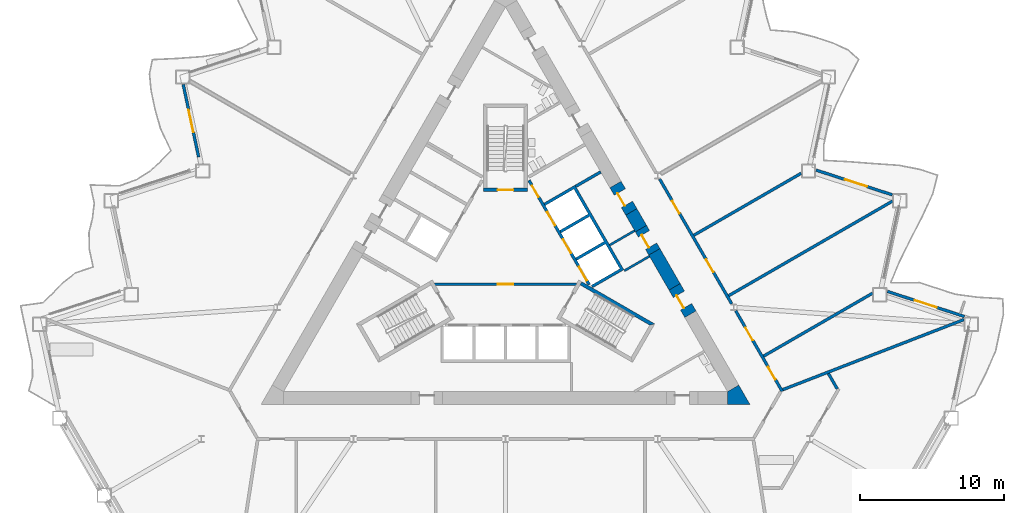
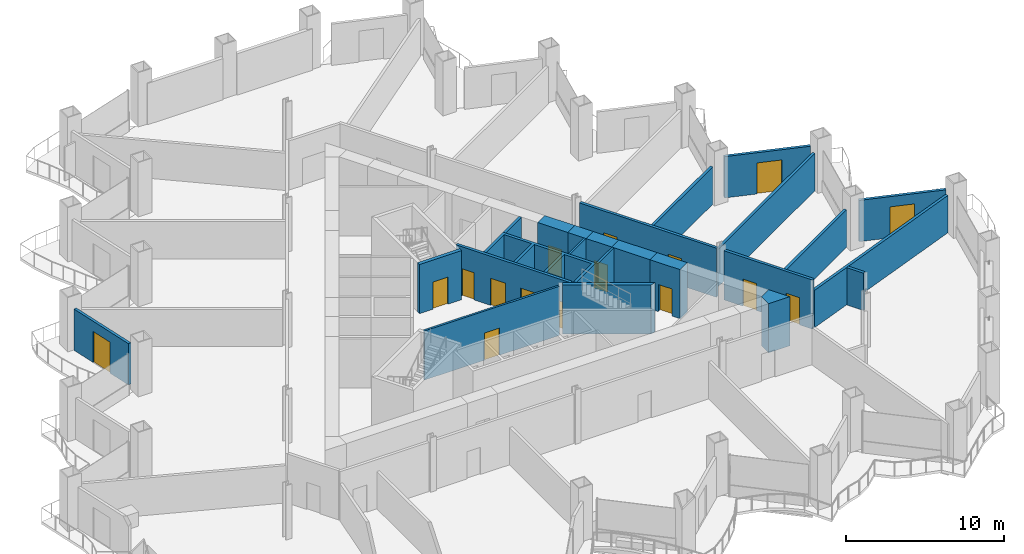
# One storey, part 11 of 21: 24 walls, 16 doors, 16 openings.
"""IFC4 building model written with IfcOpenShell, lengths in metres."""

import ifcopenshell
import ifcopenshell.guid

model = None  # the IFC model being written
_history = None  # IfcOwnerHistory: only IFC2X3 demands one
_inside = {}  # id of a spatial element -> (the spatial element, [elements in it])
_under = {}  # id of a project, library or spatial element -> (it, [spatial elements below it])
_declared = {}  # id of a project -> (the project, [libraries it declares])
_typed = {}  # id of a type object -> (the type object, [elements of that type])
_made_of = {}  # id of a material, layer set ... -> (it, [elements and type objects made of it])


def new_model(schema):
    """Start an empty IFC model of exactly this schema.

    Asked for "IFC4X3", IfcOpenShell would pick the latest addendum, in which some entities
    have other attributes; the version numbers below select the first issue.
    IFC2X3 requires an IfcOwnerHistory on every rooted entity: one is made here for all.
    """
    global model, _history
    if schema == "IFC4X3":
        model = ifcopenshell.file(schema_version=(4, 3, 0, 0))
    else:
        model = ifcopenshell.file(schema=schema)
    _inside.clear()
    _under.clear()
    _declared.clear()
    _typed.clear()
    _made_of.clear()
    _history = None
    if model.schema == "IFC2X3":
        org = make("IfcOrganization", Name="unknown")
        user = make(
            "IfcPersonAndOrganization",
            ThePerson=make("IfcPerson", FamilyName="unknown"),
            TheOrganization=org,
        )
        app = make(
            "IfcApplication",
            ApplicationDeveloper=org,
            Version="unknown",
            ApplicationFullName="unknown",
            ApplicationIdentifier="unknown",
        )
        _history = make(
            "IfcOwnerHistory",
            OwningUser=user,
            OwningApplication=app,
            ChangeAction="ADDED",
            CreationDate=0,
        )
    return model


def make(cls, **values):
    """One entity of the class cls with the attributes given. An attribute that is None is left unset."""
    return model.create_entity(
        cls, **{name: value for name, value in values.items() if value is not None}
    )


def rooted(cls, **values):
    """An entity with a GlobalId (a new one), such as an element, a storey or a relation."""
    return make(cls, GlobalId=ifcopenshell.guid.new(), OwnerHistory=_history, **values)


def si_unit(unit_type, name, prefix=None):
    """IfcSIUnit, for example si_unit("LENGTHUNIT", "METRE", prefix="MILLI")."""
    return make("IfcSIUnit", UnitType=unit_type, Prefix=prefix, Name=name)


def assignment(units):
    """IfcUnitAssignment: the units of a project."""
    return None if units is None else make("IfcUnitAssignment", Units=units)


def point(xyz):
    """IfcCartesianPoint."""
    return None if xyz is None else make("IfcCartesianPoint", Coordinates=xyz)


def direction(xyz):
    """IfcDirection."""
    return None if xyz is None else make("IfcDirection", DirectionRatios=xyz)


def frame(location, z_axis=None, x_axis=None):
    """IfcAxis2Placement3D, a coordinate frame: its origin and axes. An axis left out is left unset."""
    return make(
        "IfcAxis2Placement3D",
        Location=point(location),
        Axis=direction(z_axis),
        RefDirection=direction(x_axis),
    )


def frame_2d(location, x_axis=None):
    """IfcAxis2Placement2D, a coordinate frame in the plane: its origin and x axis."""
    return make(
        "IfcAxis2Placement2D", Location=point(location), RefDirection=direction(x_axis)
    )


def origin():
    """The frame at (0, 0, 0) with its axes left unset."""
    return frame((0.0, 0.0, 0.0))


def place(relative_to, where):
    """IfcLocalPlacement: puts the frame where relative to a parent placement (None: the world)."""
    return make(
        "IfcLocalPlacement", PlacementRelTo=relative_to, RelativePlacement=where
    )


def context(
    kind, dimensions, precision=None, world=None, true_north=None, identifier=None
):
    """IfcGeometricRepresentationContext, for example the 3D "Model" context."""
    return make(
        "IfcGeometricRepresentationContext",
        ContextIdentifier=identifier,
        ContextType=kind,
        CoordinateSpaceDimension=dimensions,
        Precision=precision,
        WorldCoordinateSystem=world,
        TrueNorth=true_north,
    )


def subcontext(parent, identifier, kind, view, scale=None):
    """IfcGeometricRepresentationSubContext, for example "Body" below "Model"."""
    return make(
        "IfcGeometricRepresentationSubContext",
        ContextIdentifier=identifier,
        ContextType=kind,
        ParentContext=parent,
        TargetScale=scale,
        TargetView=view,
    )


def project(units=None, contexts=None):
    """IfcProject with its units and contexts."""
    return rooted(
        "IfcProject",
        Name="project",
        RepresentationContexts=contexts,
        UnitsInContext=assignment(units),
    )


def spatial(cls, under=None, at=None, **own):
    """A site, building, storey or space (cls), placed at a placement, below another one or the project."""
    s = rooted(cls, ObjectPlacement=at, **own)
    if under is not None:
        _under.setdefault(under.id(), (under, []))[1].append(s)
    return s


def polyline(points):
    """IfcPolyline through the points."""
    return make("IfcPolyline", Points=[point(p) for p in points])


def profile(cls, at=None, kind="AREA", **sizes):
    """A parametric profile (cls). Its sizes go by their IFC names, for example OverallWidth=200.0."""
    return make(cls, ProfileType=kind, Position=at, **sizes)


def rectangle(**sizes):
    """IfcRectangleProfileDef."""
    return profile("IfcRectangleProfileDef", **sizes)


def outline(outer, holes=None, kind="AREA"):
    """IfcArbitraryClosedProfileDef: a profile drawn as a closed curve; with holes, ...WithVoids."""
    if holes is None:
        return make("IfcArbitraryClosedProfileDef", ProfileType=kind, OuterCurve=outer)
    return make(
        "IfcArbitraryProfileDefWithVoids",
        ProfileType=kind,
        OuterCurve=outer,
        InnerCurves=holes,
    )


def extrude(swept, where, along, depth):
    """IfcExtrudedAreaSolid: the profile swept, set in the frame where, extruded along a direction by depth."""
    return make(
        "IfcExtrudedAreaSolid",
        SweptArea=swept,
        Position=where,
        ExtrudedDirection=direction(along),
        Depth=depth,
    )


def shape(context_of_items, identifier, shape_type, items):
    """IfcShapeRepresentation: the items that make up one representation, for example the "Body"."""
    return make(
        "IfcShapeRepresentation",
        ContextOfItems=context_of_items,
        RepresentationIdentifier=identifier,
        RepresentationType=shape_type,
        Items=items,
    )


def material(Name=None, Category=None):
    """IfcMaterial."""
    return make("IfcMaterial", Name=Name, Category=Category)


def layer(
    of_material, thickness, ventilated=None, Name=None, Category=None, Priority=None
):
    """IfcMaterialLayer: one layer of a wall or slab, of a material (None: an air gap)."""
    return make(
        "IfcMaterialLayer",
        Material=of_material,
        LayerThickness=thickness,
        IsVentilated=ventilated,
        Name=Name,
        Category=Category,
        Priority=Priority,
    )


def layer_set(layers, Name=None):
    """IfcMaterialLayerSet."""
    return make("IfcMaterialLayerSet", MaterialLayers=layers, LayerSetName=Name)


def made_of(thing, what):
    """Note that an element or type object is made of a material, layer set ...; save() writes the relation."""
    if what is not None:
        _made_of.setdefault(what.id(), (what, []))[1].append(thing)
    return thing


def type_object(cls, material=None, **own):
    """A type object (cls), such as IfcWallType, which elements share."""
    return made_of(rooted(cls, **own), material)


def element(
    cls,
    number,
    at=None,
    inside=None,
    cuts=None,
    type_object=None,
    material=None,
    context=None,
    identifier="Body",
    shape_type=None,
    held_by="IfcProductDefinitionShape",
    body=None,
    shapes=None,
    **own,
):
    """One element of the class cls, such as IfcWall. Its Tag is "e" and its number.

    at: its placement. inside: the storey or other place that contains it. cuts: it is an
    opening in that element (IfcRelVoidsElement). A single representation is given by context,
    identifier, shape_type and body (its items); several are given by shapes. held_by: the class
    of the entity that holds the representations. save() writes the other relations.
    """
    e = rooted(cls, Tag="e%d" % number, ObjectPlacement=at, **own)
    if body is not None:
        shapes = [shape(context, identifier, shape_type, body)]
    if shapes is not None:
        e.Representation = make(held_by, Representations=shapes)
    if inside is not None:
        _inside.setdefault(inside.id(), (inside, []))[1].append(e)
    if cuts is not None:
        rooted(
            "IfcRelVoidsElement", RelatingBuildingElement=cuts, RelatedOpeningElement=e
        )
    if type_object is not None:
        _typed.setdefault(type_object.id(), (type_object, []))[1].append(e)
    return made_of(e, material)


def fill(opening, filler):
    """IfcRelFillsElement: the door or window that sits in an opening."""
    return rooted(
        "IfcRelFillsElement",
        RelatingOpeningElement=opening,
        RelatedBuildingElement=filler,
    )


def aggregate(whole, parts):
    """IfcRelAggregates: a whole, such as a stair, and the parts it consists of."""
    return rooted("IfcRelAggregates", RelatingObject=whole, RelatedObjects=parts)


def save(model, path):
    """Write the relations noted so far, then the file.

    IfcRelAggregates (storeys below a building ...), IfcRelContainedInSpatialStructure (elements
    in a storey), IfcRelDefinesByType, IfcRelAssociatesMaterial and IfcRelDeclares: one each for
    every whole, place, type object, material and project.
    """
    for whole, parts in _under.values():
        aggregate(whole, parts)
    for where, things in _inside.values():
        rooted(
            "IfcRelContainedInSpatialStructure",
            RelatedElements=things,
            RelatingStructure=where,
        )
    for kind, things in _typed.values():
        rooted("IfcRelDefinesByType", RelatedObjects=things, RelatingType=kind)
    for what, things in _made_of.values():
        rooted("IfcRelAssociatesMaterial", RelatedObjects=things, RelatingMaterial=what)
    for by, libraries in _declared.values():
        rooted("IfcRelDeclares", RelatingContext=by, RelatedDefinitions=libraries)
    model.write(path)


model = new_model("IFC4")

# Units and contexts
model_context = context("Model", 3, precision=1e-05, world=origin(), true_north=direction((0.0, 1.0)))
body_context = subcontext(model_context, "Body", "Model", "MODEL_VIEW")
ifc_project = project(units=[si_unit("LENGTHUNIT", "METRE"), si_unit("AREAUNIT", "SQUARE_METRE"), si_unit("VOLUMEUNIT", "CUBIC_METRE"), si_unit("PLANEANGLEUNIT", "RADIAN"), si_unit("MASSUNIT", "GRAM", prefix="KILO")], contexts=[model_context])

# Site, building, storey
site_placement = place(None, origin())
site = spatial("IfcSite", under=ifc_project, at=site_placement, CompositionType="ELEMENT")
building_placement = place(site_placement, origin())
building = spatial("IfcBuilding", under=site, at=building_placement, Name="Cormorant Prow Tower", CompositionType="ELEMENT")
storey_placement = place(building_placement, frame((0.0, 0.0, 51.0)))
storey = spatial("IfcBuildingStorey", under=building, at=storey_placement, Name="L10", CompositionType="ELEMENT", Elevation=51.0)

# Wall, opening, door
ifc_material_1 = material(Name="Gypsum board partition")
ifc_layer_1 = layer(ifc_material_1, 0.14990234375)
ifc_layer_set_1 = layer_set([ifc_layer_1], Name="Gypsum board partition")
wall_type_1 = type_object("IfcWallType", Name="Core partition 150", PredefinedType="PARTITIONING", material=ifc_layer_set_1)
wall_1_placement = place(storey_placement, frame((-4.941162109375, -1.449951171875, 0.0), z_axis=(0.0, 0.0, 1.0), x_axis=(1.0, 0.0, 0.0)))
wall_1 = element("IfcWall", 1, at=wall_1_placement, inside=storey, type_object=wall_type_1, Name="Firefighting lobby partition", PredefinedType="PARTITIONING", context=body_context, shape_type="SweptSolid", body=[
    extrude(rectangle(XDim=9.88232421875, YDim=0.14990234375, at=frame_2d((4.941162109375, 0.0))), origin(), (0.0, 0.0, 1.0), 3.800048828125),
])
opening_1_placement = place(wall_1_placement, frame((4.39111328125, 0.0, 0.0)))
opening_1 = element("IfcOpeningElement", 2, at=opening_1_placement, cuts=wall_1, Name="Opening L10-C11", PredefinedType="OPENING", context=body_context, shape_type="SweptSolid", body=[
    extrude(rectangle(XDim=1.10009765625, YDim=2.10009765625, at=frame_2d((0.550048828125, 1.050048828125))), frame((0.0, 0.0849609375, 0.0), z_axis=(0.0, -1.0, 0.0), x_axis=(1.0, 0.0, 0.0)), (0.0, 0.0, 1.0), 0.169921875),
])
ifc_material_2 = material(Name="Painted steel", Category="steel")
door_type_1 = type_object("IfcDoorType", Name="Firefighting lobby door 1100x2100", OperationType="NOTDEFINED", PredefinedType="DOOR", material=ifc_material_2)
door_1_placement = place(opening_1_placement, origin())
door_1 = element("IfcDoor", 3, at=door_1_placement, inside=storey, type_object=door_type_1, Name="Firefighting lobby door", OperationType="SINGLE_SWING_LEFT", OverallHeight=2.10009765625, OverallWidth=1.10009765625, PredefinedType="DOOR", context=body_context, shape_type="SweptSolid", body=[
    extrude(rectangle(XDim=1.10009765625, YDim=2.10009765625, at=frame_2d((0.550048828125, 1.050048828125))), frame((0.0, 0.02490234375, 0.0), z_axis=(0.0, -1.0, 0.0), x_axis=(1.0, 0.0, 0.0)), (0.0, 0.0, 1.0), 0.050048828125),
])
fill(opening_1, door_1)

# Walls
wall_2_placement = place(storey_placement, frame((8.268310546875, -0.509033203125, 0.0), z_axis=(0.0, 0.0, 1.0), x_axis=(0.866035824272, 0.499981950752, 0.0)))
element("IfcWall", 4, at=wall_2_placement, inside=storey, type_object=wall_type_1, Name="Service room partition", PredefinedType="PARTITIONING", context=body_context, shape_type="SweptSolid", body=[
    extrude(rectangle(XDim=2.0087890625, YDim=0.14990234375, at=frame_2d((1.00439453125, 0.0))), origin(), (0.0, 0.0, 1.0), 3.800048828125),
])
wall_3_placement = place(storey_placement, frame((8.980712890625, 2.275146484375, 0.0), z_axis=(0.0, 0.0, 1.0), x_axis=(-0.866013584312, -0.500020471368, 0.0)))
element("IfcWall", 5, at=wall_3_placement, inside=storey, type_object=wall_type_1, Name="Service room partition", PredefinedType="PARTITIONING", context=body_context, shape_type="SweptSolid", body=[
    extrude(rectangle(XDim=2.00927734375, YDim=0.14990234375, at=frame_2d((1.004638671875, 0.0))), origin(), (0.0, 0.0, 1.0), 3.800048828125),
])
ifc_material_3 = material(Name="Concrete 8000 psi", Category="concrete")
ifc_layer_2 = layer(ifc_material_3, 0.89990234375)
ifc_layer_set_2 = layer_set([ifc_layer_2], Name="Concrete 8000 psi")
wall_type_2 = type_object("IfcWallType", Name="Core shear wall 900", PredefinedType="SHEAR", material=ifc_layer_set_2)
wall_4_placement = place(storey_placement, frame((11.7548828125, -1.63037109375, 0.0), z_axis=(0.0, 0.0, 1.0), x_axis=(-0.499943114462, 0.866058244174, 0.0)))
element("IfcWall", 6, at=wall_4_placement, inside=storey, type_object=wall_type_2, Name="Core wall", PredefinedType="SHEAR", context=body_context, shape_type="SweptSolid", body=[
    extrude(rectangle(XDim=2.809326171875, YDim=0.89990234375, at=frame_2d((1.40478515625, 0.0))), origin(), (0.0, 0.0, 1.0), 3.800048828125),
])
wall_5_placement = place(storey_placement, frame((9.417724609375, 2.417724609375, 0.0), z_axis=(0.0, 0.0, 1.0), x_axis=(-0.49995335277, 0.8660523339, 0.0)))
element("IfcWall", 7, at=wall_5_placement, inside=storey, type_object=wall_type_2, Name="Core wall", PredefinedType="SHEAR", context=body_context, shape_type="SweptSolid", body=[
    extrude(rectangle(XDim=1.342529296875, YDim=0.89990234375, at=frame_2d((0.67138671875, 0.0))), origin(), (0.0, 0.0, 1.0), 3.800048828125),
])
wall_6_placement = place(storey_placement, origin())
element("IfcWall", 8, at=wall_6_placement, inside=storey, type_object=wall_type_2, Name="Core wall corner", PredefinedType="SHEAR", context=body_context, shape_type="SweptSolid", body=[
    extrude(outline(polyline([(15.441162109375, -9.81494140625), (15.441162109375, -8.9150390625), (16.220703125, -8.465087890625), (17.0, -9.81494140625), (15.441162109375, -9.81494140625)])), origin(), (0.0, 0.0, 1.0), 3.800048828125),
])

# Wall, opening, door
wall_7_placement = place(storey_placement, frame((12.85498046875, -3.53564453125, 0.0), z_axis=(0.0, 0.0, 1.0), x_axis=(-0.50002983664, 0.866008176907, 0.0)))
wall_7 = element("IfcWall", 9, at=wall_7_placement, inside=storey, type_object=wall_type_2, Name="Core wall door panel", PredefinedType="SHEAR", context=body_context, shape_type="SweptSolid", body=[
    extrude(rectangle(XDim=2.199951171875, YDim=0.89990234375, at=frame_2d((1.10009765625, 0.0))), origin(), (0.0, 0.0, 1.0), 3.800048828125),
])
opening_2_placement = place(wall_7_placement, frame((0.60009765625, 0.0, 0.0)))
opening_2 = element("IfcOpeningElement", 10, at=opening_2_placement, cuts=wall_7, Name="Opening L10-C17", PredefinedType="OPENING", context=body_context, shape_type="SweptSolid", body=[
    extrude(rectangle(XDim=1.0, YDim=2.10009765625, at=frame_2d((0.5, 1.050048828125))), frame((0.0, 0.4599609375, 0.0), z_axis=(0.0, -1.0, 0.0), x_axis=(1.0, 0.0, 0.0)), (0.0, 0.0, 1.0), 0.919921875),
])
ifc_material_4 = material(Name="Painted steel", Category="steel")
door_type_2 = type_object("IfcDoorType", Name="Service door 1000x2100", OperationType="NOTDEFINED", PredefinedType="DOOR", material=ifc_material_4)
door_2_placement = place(opening_2_placement, origin())
door_2 = element("IfcDoor", 11, at=door_2_placement, inside=storey, type_object=door_type_2, Name="Core door, Electrical room", OperationType="SINGLE_SWING_RIGHT", OverallHeight=2.10009765625, OverallWidth=1.0, PredefinedType="DOOR", context=body_context, shape_type="SweptSolid", body=[
    extrude(rectangle(XDim=1.0, YDim=2.10009765625, at=frame_2d((0.5, 1.050048828125))), frame((0.0, 0.205078125, 0.0), z_axis=(0.0, -1.0, 0.0), x_axis=(1.0, 0.0, 0.0)), (0.0, 0.0, 1.0), 0.050048828125),
])
fill(opening_2, door_2)

wall_8_placement = place(storey_placement, frame((10.350341796875, 0.802734375, 0.0), z_axis=(0.0, 0.0, 1.0), x_axis=(-0.500081290722, 0.865978465477, 0.0)))
wall_8 = element("IfcWall", 12, at=wall_8_placement, inside=storey, type_object=wall_type_2, Name="Core wall door panel", PredefinedType="SHEAR", context=body_context, shape_type="SweptSolid", body=[
    extrude(rectangle(XDim=1.864990234375, YDim=0.89990234375, at=frame_2d((0.9326171875, 0.0))), origin(), (0.0, 0.0, 1.0), 3.800048828125),
])
opening_3_placement = place(wall_8_placement, frame((0.449951171875, 0.0, 0.0)))
opening_3 = element("IfcOpeningElement", 13, at=opening_3_placement, cuts=wall_8, Name="Opening L10-C18", PredefinedType="OPENING", context=body_context, shape_type="SweptSolid", body=[
    extrude(rectangle(XDim=1.0, YDim=2.10009765625, at=frame_2d((0.5, 1.050048828125))), frame((0.0, 0.4599609375, 0.0), z_axis=(0.0, -1.0, 0.0), x_axis=(1.0, 0.0, 0.0)), (0.0, 0.0, 1.0), 0.919921875),
])
door_3_placement = place(opening_3_placement, origin())
door_3 = element("IfcDoor", 14, at=door_3_placement, inside=storey, type_object=door_type_2, Name="Core door, Mechanical riser room", OperationType="SINGLE_SWING_LEFT", OverallHeight=2.10009765625, OverallWidth=1.0, PredefinedType="DOOR", context=body_context, shape_type="SweptSolid", body=[
    extrude(rectangle(XDim=1.0, YDim=2.10009765625, at=frame_2d((0.5, 1.050048828125))), frame((0.0, 0.205078125, 0.0), z_axis=(0.0, -1.0, 0.0), x_axis=(1.0, 0.0, 0.0)), (0.0, 0.0, 1.0), 0.050048828125),
])
fill(opening_3, door_3)

wall_9_placement = place(storey_placement, frame((8.74658203125, 3.580322265625, 0.0), z_axis=(0.0, 0.0, 1.0), x_axis=(-0.50002983664, 0.866008176907, 0.0)))
wall_9 = element("IfcWall", 15, at=wall_9_placement, inside=storey, type_object=wall_type_2, Name="Core wall door panel", PredefinedType="SHEAR", context=body_context, shape_type="SweptSolid", body=[
    extrude(rectangle(XDim=2.199951171875, YDim=0.89990234375, at=frame_2d((1.10009765625, 0.0))), origin(), (0.0, 0.0, 1.0), 3.800048828125),
])
opening_4_placement = place(wall_9_placement, frame((0.60009765625, 0.0, 0.0)))
opening_4 = element("IfcOpeningElement", 16, at=opening_4_placement, cuts=wall_9, Name="Opening L10-C20", PredefinedType="OPENING", context=body_context, shape_type="SweptSolid", body=[
    extrude(rectangle(XDim=1.0, YDim=2.10009765625, at=frame_2d((0.5, 1.050048828125))), frame((0.0, 0.4599609375, 0.0), z_axis=(0.0, -1.0, 0.0), x_axis=(1.0, 0.0, 0.0)), (0.0, 0.0, 1.0), 0.919921875),
])
door_4_placement = place(opening_4_placement, origin())
door_4 = element("IfcDoor", 17, at=door_4_placement, inside=storey, type_object=door_type_2, Name="Core door, Pantry store", OperationType="SINGLE_SWING_RIGHT", OverallHeight=2.10009765625, OverallWidth=1.0, PredefinedType="DOOR", context=body_context, shape_type="SweptSolid", body=[
    extrude(rectangle(XDim=1.0, YDim=2.10009765625, at=frame_2d((0.5, 1.050048828125))), frame((0.0, 0.205078125, 0.0), z_axis=(0.0, -1.0, 0.0), x_axis=(1.0, 0.0, 0.0)), (0.0, 0.0, 1.0), 0.050048828125),
])
fill(opening_4, door_4)

# Wall, openings, doors
ifc_material_5 = material(Name="Gypsum board corridor wall")
ifc_layer_3 = layer(ifc_material_5, 0.199951171875)
ifc_layer_set_3 = layer_set([ifc_layer_3], Name="Gypsum board corridor wall")
wall_type_3 = type_object("IfcWallType", Name="Corridor wall 200", PredefinedType="PARTITIONING", material=ifc_layer_set_3)
wall_10_placement = place(storey_placement, frame((10.718505859375, 5.865234375, 0.0), z_axis=(0.0, 0.0, 1.0), x_axis=(0.49999175339, -0.866030164915, 0.0)))
wall_10 = element("IfcWall", 18, at=wall_10_placement, inside=storey, type_object=wall_type_3, Name="Corridor wall", PredefinedType="PARTITIONING", context=body_context, shape_type="SweptSolid", body=[
    extrude(rectangle(XDim=10.018798828125, YDim=0.199951171875, at=frame_2d((5.00927734375, 0.0))), origin(), (0.0, 0.0, 1.0), 3.800048828125),
])
opening_5_placement = place(wall_10_placement, frame((6.4638671875, 0.0, 0.0)))
opening_5 = element("IfcOpeningElement", 19, at=opening_5_placement, cuts=wall_10, Name="Opening L10-F09", PredefinedType="OPENING", context=body_context, shape_type="SweptSolid", body=[
    extrude(rectangle(XDim=1.0, YDim=2.10009765625, at=frame_2d((0.5, 1.050048828125))), frame((0.0, 0.10986328125, 0.0), z_axis=(0.0, -1.0, 0.0), x_axis=(1.0, 0.0, 0.0)), (0.0, 0.0, 1.0), 0.219970703125),
])
opening_6_placement = place(wall_10_placement, frame((1.75341796875, 0.0, 0.0)))
opening_6 = element("IfcOpeningElement", 20, at=opening_6_placement, cuts=wall_10, Name="Opening L10-F10", PredefinedType="OPENING", context=body_context, shape_type="SweptSolid", body=[
    extrude(rectangle(XDim=1.0, YDim=2.10009765625, at=frame_2d((0.5, 1.050048828125))), frame((0.0, 0.10986328125, 0.0), z_axis=(0.0, -1.0, 0.0), x_axis=(1.0, 0.0, 0.0)), (0.0, 0.0, 1.0), 0.219970703125),
])
ifc_material_6 = material(Name="Timber door leaf", Category="wood")
door_type_3 = type_object("IfcDoorType", Name="Office door 1000x2100", OperationType="NOTDEFINED", PredefinedType="DOOR", material=ifc_material_6)
door_5_placement = place(opening_5_placement, origin())
door_5 = element("IfcDoor", 21, at=door_5_placement, inside=storey, type_object=door_type_3, Name="Meeting room door", OperationType="SINGLE_SWING_LEFT", OverallHeight=2.10009765625, OverallWidth=1.0, PredefinedType="DOOR", context=body_context, shape_type="SweptSolid", body=[
    extrude(rectangle(XDim=1.0, YDim=2.10009765625, at=frame_2d((0.5, 1.050048828125))), frame((0.0, 0.02490234375, 0.0), z_axis=(0.0, -1.0, 0.0), x_axis=(1.0, 0.0, 0.0)), (0.0, 0.0, 1.0), 0.050048828125),
])
fill(opening_5, door_5)
door_6_placement = place(opening_6_placement, origin())
door_6 = element("IfcDoor", 22, at=door_6_placement, inside=storey, type_object=door_type_3, Name="Meeting room door", OperationType="SINGLE_SWING_RIGHT", OverallHeight=2.10009765625, OverallWidth=1.0, PredefinedType="DOOR", context=body_context, shape_type="SweptSolid", body=[
    extrude(rectangle(XDim=1.0, YDim=2.10009765625, at=frame_2d((0.5, 1.050048828125))), frame((0.0, 0.02490234375, 0.0), z_axis=(0.0, -1.0, 0.0), x_axis=(1.0, 0.0, 0.0)), (0.0, 0.0, 1.0), 0.050048828125),
])
fill(opening_6, door_6)

wall_11_placement = place(storey_placement, frame((16.007568359375, -3.2958984375, 0.0), z_axis=(0.0, 0.0, 1.0), x_axis=(0.499984737558, -0.86603421538, 0.0)))
wall_11 = element("IfcWall", 23, at=wall_11_placement, inside=storey, type_object=wall_type_3, Name="Corridor wall", PredefinedType="PARTITIONING", context=body_context, shape_type="SweptSolid", body=[
    extrude(rectangle(XDim=6.472900390625, YDim=0.199951171875, at=frame_2d((3.236328125, 0.0))), origin(), (0.0, 0.0, 1.0), 3.800048828125),
])
opening_7_placement = place(wall_11_placement, frame((4.51220703125, 0.0, 0.0)))
opening_7 = element("IfcOpeningElement", 24, at=opening_7_placement, cuts=wall_11, Name="Opening L10-F07", PredefinedType="OPENING", context=body_context, shape_type="SweptSolid", body=[
    extrude(rectangle(XDim=1.0, YDim=2.10009765625, at=frame_2d((0.5, 1.050048828125))), frame((0.0, 0.10986328125, 0.0), z_axis=(0.0, -1.0, 0.0), x_axis=(1.0, 0.0, 0.0)), (0.0, 0.0, 1.0), 0.219970703125),
])
opening_8_placement = place(wall_11_placement, frame((1.3662109375, 0.0, 0.0)))
opening_8 = element("IfcOpeningElement", 25, at=opening_8_placement, cuts=wall_11, Name="Opening L10-F08", PredefinedType="OPENING", context=body_context, shape_type="SweptSolid", body=[
    extrude(rectangle(XDim=1.0, YDim=2.10009765625, at=frame_2d((0.5, 1.050048828125))), frame((0.0, 0.10986328125, 0.0), z_axis=(0.0, -1.0, 0.0), x_axis=(1.0, 0.0, 0.0)), (0.0, 0.0, 1.0), 0.219970703125),
])
door_7_placement = place(opening_7_placement, origin())
door_7 = element("IfcDoor", 26, at=door_7_placement, inside=storey, type_object=door_type_3, Name="Meeting room door", OperationType="SINGLE_SWING_LEFT", OverallHeight=2.10009765625, OverallWidth=1.0, PredefinedType="DOOR", context=body_context, shape_type="SweptSolid", body=[
    extrude(rectangle(XDim=1.0, YDim=2.10009765625, at=frame_2d((0.5, 1.050048828125))), frame((0.0, 0.02490234375, 0.0), z_axis=(0.0, -1.0, 0.0), x_axis=(1.0, 0.0, 0.0)), (0.0, 0.0, 1.0), 0.050048828125),
])
fill(opening_7, door_7)
door_8_placement = place(opening_8_placement, origin())
door_8 = element("IfcDoor", 27, at=door_8_placement, inside=storey, type_object=door_type_3, Name="Meeting room door", OperationType="SINGLE_SWING_LEFT", OverallHeight=2.10009765625, OverallWidth=1.0, PredefinedType="DOOR", context=body_context, shape_type="SweptSolid", body=[
    extrude(rectangle(XDim=1.0, YDim=2.10009765625, at=frame_2d((0.5, 1.050048828125))), frame((0.0, 0.02490234375, 0.0), z_axis=(0.0, -1.0, 0.0), x_axis=(1.0, 0.0, 0.0)), (0.0, 0.0, 1.0), 0.050048828125),
])
fill(opening_8, door_8)

# Walls
ifc_material_7 = material(Name="Gypsum board demising wall")
ifc_layer_4 = layer(ifc_material_7, 0.199951171875)
ifc_layer_set_4 = layer_set([ifc_layer_4], Name="Gypsum board demising wall")
wall_type_4 = type_object("IfcWallType", Name="Demising wall 200", PredefinedType="PARTITIONING", material=ifc_layer_set_4)
wall_12_placement = place(storey_placement, frame((19.287109375, -8.77880859375, 0.0), z_axis=(0.0, 0.0, 1.0), x_axis=(0.932669586354, 0.360731815467, 0.0)))
element("IfcWall", 28, at=wall_12_placement, inside=storey, type_object=wall_type_4, Name="Demising wall", PredefinedType="PARTITIONING", context=body_context, shape_type="SweptSolid", body=[
    extrude(rectangle(XDim=13.501220703125, YDim=0.199951171875, at=frame_2d((6.75048828125, 0.0))), origin(), (0.0, 0.0, 1.0), 2.88525390625),
])
wall_13_placement = place(storey_placement, frame((15.517578125, -2.24755859375, 0.0), z_axis=(0.0, 0.0, 1.0), x_axis=(0.866025231175, 0.500000298968, 0.0)))
element("IfcWall", 29, at=wall_13_placement, inside=storey, type_object=wall_type_4, Name="Demising wall", PredefinedType="PARTITIONING", context=body_context, shape_type="SweptSolid", body=[
    extrude(rectangle(XDim=13.15869140625, YDim=0.199951171875, at=frame_2d((6.579345703125, 0.0))), origin(), (0.0, 0.0, 1.0), 2.88525390625),
])
wall_14_placement = place(storey_placement, frame((17.944091796875, -6.4501953125, 0.0), z_axis=(0.0, 0.0, 1.0), x_axis=(0.866025328989, 0.50000012955, 0.0)))
element("IfcWall", 30, at=wall_14_placement, inside=storey, type_object=wall_type_4, Name="Demising wall", PredefinedType="PARTITIONING", context=body_context, shape_type="SweptSolid", body=[
    extrude(rectangle(XDim=8.75244140625, YDim=0.199951171875, at=frame_2d((4.376220703125, 0.0))), origin(), (0.0, 0.0, 1.0), 2.88525390625),
])
wall_15_placement = place(storey_placement, frame((13.09130859375, 1.954833984375, 0.0), z_axis=(0.0, 0.0, 1.0), x_axis=(0.866026670206, 0.499997806488, 0.0)))
element("IfcWall", 31, at=wall_15_placement, inside=storey, type_object=wall_type_4, Name="Demising wall", PredefinedType="PARTITIONING", context=body_context, shape_type="SweptSolid", body=[
    extrude(rectangle(XDim=8.62158203125, YDim=0.199951171875, at=frame_2d((4.310791015625, 0.0))), origin(), (0.0, 0.0, 1.0), 2.88525390625),
])
wall_16_placement = place(storey_placement, frame((22.453125, -7.66015625, 0.0), z_axis=(0.0, 0.0, 1.0), x_axis=(0.499928040405, -0.86606694569, 0.0)))
element("IfcWall", 32, at=wall_16_placement, inside=storey, type_object=wall_type_4, Name="Demising wall", PredefinedType="PARTITIONING", context=body_context, shape_type="SweptSolid", body=[
    extrude(rectangle(XDim=1.233642578125, YDim=0.199951171875, at=frame_2d((0.61669921875, 0.0))), origin(), (0.0, 0.0, 1.0), 2.88525390625),
])

# Wall, openings, doors
ifc_material_8 = material(Name="Concrete 5000 psi", Category="concrete")
ifc_layer_5 = layer(ifc_material_8, 0.199951171875)
ifc_layer_set_5 = layer_set([ifc_layer_5], Name="Concrete 5000 psi")
wall_type_5 = type_object("IfcWallType", Name="Lift lobby wall 200", PredefinedType="SOLIDWALL", material=ifc_layer_set_5)
wall_17_placement = place(storey_placement, frame((5.817138671875, -1.4755859375, 0.0), z_axis=(0.0, 0.0, 1.0), x_axis=(-0.500002616675, 0.866023893041, 0.0)))
wall_17 = element("IfcWall", 33, at=wall_17_placement, inside=storey, type_object=wall_type_5, Name="Lift lobby wall, ENE block", PredefinedType="SOLIDWALL", context=body_context, shape_type="SweptSolid", body=[
    extrude(rectangle(XDim=8.373046875, YDim=0.199951171875, at=frame_2d((4.1865234375, 0.0))), origin(), (0.0, 0.0, 1.0), 3.800048828125),
])
opening_9_placement = place(wall_17_placement, frame((0.336669921875, 0.0, 0.0)))
opening_9 = element("IfcOpeningElement", 34, at=opening_9_placement, cuts=wall_17, Name="Opening L10-C05", PredefinedType="OPENING", context=body_context, shape_type="SweptSolid", body=[
    extrude(rectangle(XDim=1.10009765625, YDim=2.10009765625, at=frame_2d((0.550048828125, 1.050048828125))), frame((0.0, 0.10986328125, 0.0), z_axis=(0.0, -1.0, 0.0), x_axis=(1.0, 0.0, 0.0)), (0.0, 0.0, 1.0), 0.219970703125),
])
opening_10_placement = place(wall_17_placement, frame((2.53662109375, 0.0, 0.0)))
opening_10 = element("IfcOpeningElement", 35, at=opening_10_placement, cuts=wall_17, Name="Opening L10-C06", PredefinedType="OPENING", context=body_context, shape_type="SweptSolid", body=[
    extrude(rectangle(XDim=1.10009765625, YDim=2.10009765625, at=frame_2d((0.550048828125, 1.050048828125))), frame((0.0, 0.10986328125, 0.0), z_axis=(0.0, -1.0, 0.0), x_axis=(1.0, 0.0, 0.0)), (0.0, 0.0, 1.0), 0.219970703125),
])
opening_11_placement = place(wall_17_placement, frame((4.736572265625, 0.0, 0.0)))
opening_11 = element("IfcOpeningElement", 36, at=opening_11_placement, cuts=wall_17, Name="Opening L10-C07", PredefinedType="OPENING", context=body_context, shape_type="SweptSolid", body=[
    extrude(rectangle(XDim=1.10009765625, YDim=2.10009765625, at=frame_2d((0.550048828125, 1.050048828125))), frame((0.0, 0.10986328125, 0.0), z_axis=(0.0, -1.0, 0.0), x_axis=(1.0, 0.0, 0.0)), (0.0, 0.0, 1.0), 0.219970703125),
])
opening_12_placement = place(wall_17_placement, frame((7.03662109375, 0.0, 0.0)))
opening_12 = element("IfcOpeningElement", 37, at=opening_12_placement, cuts=wall_17, Name="Opening L10-C08", PredefinedType="OPENING", context=body_context, shape_type="SweptSolid", body=[
    extrude(rectangle(XDim=0.89990234375, YDim=2.10009765625, at=frame_2d((0.449951171875, 1.050048828125))), frame((0.0, 0.10986328125, 0.0), z_axis=(0.0, -1.0, 0.0), x_axis=(1.0, 0.0, 0.0)), (0.0, 0.0, 1.0), 0.219970703125),
])
ifc_material_9 = material(Name="Painted steel", Category="steel")
door_type_4 = type_object("IfcDoorType", Name="Lift landing door 1100x2100", OperationType="SLIDING_TO_LEFT", PredefinedType="DOOR", material=ifc_material_9)
door_9_placement = place(opening_9_placement, origin())
door_9 = element("IfcDoor", 38, at=door_9_placement, inside=storey, type_object=door_type_4, Name="Landing door LR2", OperationType="SLIDING_TO_LEFT", OverallHeight=2.10009765625, OverallWidth=1.10009765625, PredefinedType="DOOR", context=body_context, shape_type="SweptSolid", body=[
    extrude(rectangle(XDim=1.10009765625, YDim=2.10009765625, at=frame_2d((0.550048828125, 1.050048828125))), frame((0.0, 0.02490234375, 0.0), z_axis=(0.0, -1.0, 0.0), x_axis=(1.0, 0.0, 0.0)), (0.0, 0.0, 1.0), 0.050048828125),
])
fill(opening_9, door_9)
door_10_placement = place(opening_10_placement, origin())
door_10 = element("IfcDoor", 39, at=door_10_placement, inside=storey, type_object=door_type_4, Name="Landing door LR3", OperationType="SLIDING_TO_LEFT", OverallHeight=2.10009765625, OverallWidth=1.10009765625, PredefinedType="DOOR", context=body_context, shape_type="SweptSolid", body=[
    extrude(rectangle(XDim=1.10009765625, YDim=2.10009765625, at=frame_2d((0.550048828125, 1.050048828125))), frame((0.0, 0.02490234375, 0.0), z_axis=(0.0, -1.0, 0.0), x_axis=(1.0, 0.0, 0.0)), (0.0, 0.0, 1.0), 0.050048828125),
])
fill(opening_10, door_10)
door_11_placement = place(opening_11_placement, origin())
door_11 = element("IfcDoor", 40, at=door_11_placement, inside=storey, type_object=door_type_4, Name="Landing door LR4", OperationType="SLIDING_TO_LEFT", OverallHeight=2.10009765625, OverallWidth=1.10009765625, PredefinedType="DOOR", context=body_context, shape_type="SweptSolid", body=[
    extrude(rectangle(XDim=1.10009765625, YDim=2.10009765625, at=frame_2d((0.550048828125, 1.050048828125))), frame((0.0, 0.02490234375, 0.0), z_axis=(0.0, -1.0, 0.0), x_axis=(1.0, 0.0, 0.0)), (0.0, 0.0, 1.0), 0.050048828125),
])
fill(opening_11, door_11)
ifc_material_10 = material(Name="Painted steel", Category="steel")
door_type_5 = type_object("IfcDoorType", Name="Service door 900x2100", OperationType="NOTDEFINED", PredefinedType="DOOR", material=ifc_material_10)
door_12_placement = place(opening_12_placement, origin())
door_12 = element("IfcDoor", 41, at=door_12_placement, inside=storey, type_object=door_type_5, Name="Service door, Refuse store", OperationType="SINGLE_SWING_RIGHT", OverallHeight=2.10009765625, OverallWidth=0.89990234375, PredefinedType="DOOR", context=body_context, shape_type="SweptSolid", body=[
    extrude(rectangle(XDim=0.89990234375, YDim=2.10009765625, at=frame_2d((0.449951171875, 1.050048828125))), frame((0.0, 0.02490234375, 0.0), z_axis=(0.0, -1.0, 0.0), x_axis=(1.0, 0.0, 0.0)), (0.0, 0.0, 1.0), 0.050048828125),
])
fill(opening_12, door_12)

# Walls
ifc_material_11 = material(Name="Concrete 8000 psi", Category="concrete")
ifc_layer_6 = layer(ifc_material_11, 0.199951171875)
ifc_layer_set_6 = layer_set([ifc_layer_6], Name="Concrete 8000 psi")
wall_type_6 = type_object("IfcWallType", Name="Lift shaft wall 200", PredefinedType="SHEAR", material=ifc_layer_set_6)
wall_18_placement = place(storey_placement, origin())
element("IfcWall", 42, at=wall_18_placement, inside=storey, type_object=wall_type_6, Name="Lift shaft walls, ENE block", PredefinedType="SHEAR", context=body_context, shape_type="SweptSolid", body=[
    extrude(outline(polyline([(2.660400390625, 4.19189453125), (4.830810546875, 5.44482421875), (8.230712890625, -0.444091796875), (6.060546875, -1.697021484375), (5.96044921875, -1.52392578125), (7.952392578125, -0.373779296875), (6.952392578125, 1.358154296875), (4.96044921875, 0.2080078125), (4.860595703125, 0.38134765625), (6.852294921875, 1.53125), (5.852294921875, 3.263427734375), (3.860595703125, 2.11328125), (3.760498046875, 2.28662109375), (5.75244140625, 3.4365234375), (4.75244140625, 5.168701171875), (2.760498046875, 4.018798828125), (2.660400390625, 4.19189453125)])), origin(), (0.0, 0.0, 1.0), 3.800048828125),
])
wall_19_placement = place(storey_placement, frame((4.880859375, 5.3583984375, 0.0), z_axis=(0.0, 0.0, 1.0), x_axis=(0.866035824272, 0.499981950752, 0.0)))
element("IfcWall", 43, at=wall_19_placement, inside=storey, type_object=wall_type_6, Name="Store side wall", PredefinedType="SHEAR", context=body_context, shape_type="SweptSolid", body=[
    extrude(rectangle(XDim=2.0087890625, YDim=0.199951171875, at=frame_2d((1.00439453125, 0.0))), origin(), (0.0, 0.0, 1.0), 3.800048828125),
])
ifc_material_12 = material(Name="Concrete 8000 psi", Category="concrete")
ifc_layer_7 = layer(ifc_material_12, 0.25)
ifc_layer_set_7 = layer_set([ifc_layer_7], Name="Concrete 8000 psi")
wall_type_7 = type_object("IfcWallType", Name="Stair wall 250", PredefinedType="SHEAR", material=ifc_layer_set_7)
wall_20_placement = place(storey_placement, origin())
element("IfcWall", 44, at=wall_20_placement, inside=storey, type_object=wall_type_7, Name="Stair ST2 enclosure wall (flank)", PredefinedType="SHEAR", context=body_context, shape_type="SweptSolid", body=[
    extrude(outline(polyline([(10.031982421875, -4.2978515625), (10.37353515625, -4.206298828125), (5.30712890625, -1.28125), (5.18212890625, -1.497802734375), (10.031982421875, -4.2978515625)])), origin(), (0.0, 0.0, 1.0), 3.800048828125),
])

# Wall, opening, door
wall_21_placement = place(storey_placement, frame((1.5439453125, 5.11181640625, 0.0), z_axis=(0.0, 0.0, 1.0), x_axis=(-1.0, 0.0, 0.0)))
wall_21 = element("IfcWall", 45, at=wall_21_placement, inside=storey, type_object=wall_type_7, Name="Stair ST3 door wall", PredefinedType="SHEAR", context=body_context, shape_type="SweptSolid", body=[
    extrude(rectangle(XDim=3.087890625, YDim=0.25, at=frame_2d((1.5439453125, 0.0))), origin(), (0.0, 0.0, 1.0), 3.800048828125),
])
opening_13_placement = place(wall_21_placement, frame((0.993896484375, 0.0, 0.0)))
opening_13 = element("IfcOpeningElement", 46, at=opening_13_placement, cuts=wall_21, Name="Opening L10-C14", PredefinedType="OPENING", context=body_context, shape_type="SweptSolid", body=[
    extrude(rectangle(XDim=1.10009765625, YDim=2.10009765625, at=frame_2d((0.550048828125, 1.050048828125))), frame((0.0, 0.135009765625, 0.0), z_axis=(0.0, -1.0, 0.0), x_axis=(1.0, 0.0, 0.0)), (0.0, 0.0, 1.0), 0.27001953125),
])
ifc_material_13 = material(Name="Painted steel", Category="steel")
door_type_6 = type_object("IfcDoorType", Name="Stair door 1100x2100", OperationType="NOTDEFINED", PredefinedType="DOOR", material=ifc_material_13)
door_13_placement = place(opening_13_placement, origin())
door_13 = element("IfcDoor", 47, at=door_13_placement, inside=storey, type_object=door_type_6, Name="Stair ST3 door", OperationType="SINGLE_SWING_RIGHT", OverallHeight=2.10009765625, OverallWidth=1.10009765625, PredefinedType="DOOR", context=body_context, shape_type="SweptSolid", body=[
    extrude(rectangle(XDim=1.10009765625, YDim=2.10009765625, at=frame_2d((0.550048828125, 1.050048828125))), frame((0.0, 0.02490234375, 0.0), z_axis=(0.0, -1.0, 0.0), x_axis=(1.0, 0.0, 0.0)), (0.0, 0.0, 1.0), 0.050048828125),
])
fill(opening_13, door_13)

ifc_material_14 = material(Name="Terracotta", Category="masonry")
ifc_layer_8 = layer(ifc_material_14, 0.199951171875)
ifc_layer_set_8 = layer_set([ifc_layer_8], Name="Terracotta")
wall_type_8 = type_object("IfcWallType", Name="Terracotta jamb wall 200", PredefinedType="SOLIDWALL", material=ifc_layer_set_8)
wall_22_placement = place(storey_placement, frame((31.9140625, -3.69287109375, 0.0), z_axis=(0.0, 0.0, 1.0), x_axis=(-0.951049360908, 0.309039015525, 0.0)))
wall_22 = element("IfcWall", 48, at=wall_22_placement, inside=storey, type_object=wall_type_8, Name="Terracotta jamb wall ENE01", PredefinedType="SOLIDWALL", context=body_context, shape_type="SweptSolid", body=[
    extrude(rectangle(XDim=5.631103515625, YDim=0.199951171875, at=frame_2d((2.8154296875, 0.0))), origin(), (0.0, 0.0, 1.0), 3.18896484375),
])
opening_14_placement = place(wall_22_placement, frame((2.031005859375, 0.0, 0.0)))
opening_14 = element("IfcOpeningElement", 49, at=opening_14_placement, cuts=wall_22, Name="Opening ED10.06", PredefinedType="OPENING", context=body_context, shape_type="SweptSolid", body=[
    extrude(rectangle(XDim=1.60009765625, YDim=2.39990234375, at=frame_2d((0.800048828125, 1.199951171875))), frame((0.0, 0.10986328125, 0.0), z_axis=(0.0, -1.0, 0.0), x_axis=(1.0, 0.0, 0.0)), (0.0, 0.0, 1.0), 0.219970703125),
])
ifc_material_15 = material(Name="Aluminium 6063-T6", Category="aluminium")
door_type_7 = type_object("IfcDoorType", Name="Balcony door 1600x2400", OperationType="DOUBLE_DOOR_SINGLE_SWING", PredefinedType="DOOR", material=ifc_material_15)
door_14_placement = place(opening_14_placement, origin())
door_14 = element("IfcDoor", 50, at=door_14_placement, inside=storey, type_object=door_type_7, Name="Balcony door ENE01 ED10.06", OperationType="DOUBLE_DOOR_SINGLE_SWING", OverallHeight=2.39990234375, OverallWidth=1.60009765625, PredefinedType="DOOR", context=body_context, shape_type="SweptSolid", body=[
    extrude(rectangle(XDim=1.60009765625, YDim=2.39990234375, at=frame_2d((0.800048828125, 1.199951171875))), frame((0.0, 0.02490234375, 0.0), z_axis=(0.0, -1.0, 0.0), x_axis=(1.0, 0.0, 0.0)), (0.0, 0.0, 1.0), 0.050048828125),
])
fill(opening_14, door_14)

wall_23_placement = place(storey_placement, frame((26.898681640625, 4.76513671875, 0.0), z_axis=(0.0, 0.0, 1.0), x_axis=(-0.951054004345, 0.309024725255, 0.0)))
wall_23 = element("IfcWall", 51, at=wall_23_placement, inside=storey, type_object=wall_type_8, Name="Terracotta jamb wall ENE03", PredefinedType="SOLIDWALL", context=body_context, shape_type="SweptSolid", body=[
    extrude(rectangle(XDim=5.579345703125, YDim=0.199951171875, at=frame_2d((2.78955078125, 0.0))), origin(), (0.0, 0.0, 1.0), 3.18896484375),
])
opening_15_placement = place(wall_23_placement, frame((1.85986328125, 0.0, 0.0)))
opening_15 = element("IfcOpeningElement", 52, at=opening_15_placement, cuts=wall_23, Name="Opening ED10.07", PredefinedType="OPENING", context=body_context, shape_type="SweptSolid", body=[
    extrude(rectangle(XDim=1.60009765625, YDim=2.39990234375, at=frame_2d((0.800048828125, 1.199951171875))), frame((0.0, 0.10986328125, 0.0), z_axis=(0.0, -1.0, 0.0), x_axis=(1.0, 0.0, 0.0)), (0.0, 0.0, 1.0), 0.219970703125),
])
door_15_placement = place(opening_15_placement, origin())
door_15 = element("IfcDoor", 53, at=door_15_placement, inside=storey, type_object=door_type_7, Name="Balcony door ENE03 ED10.07", OperationType="DOUBLE_DOOR_SINGLE_SWING", OverallHeight=2.39990234375, OverallWidth=1.60009765625, PredefinedType="DOOR", context=body_context, shape_type="SweptSolid", body=[
    extrude(rectangle(XDim=1.60009765625, YDim=2.39990234375, at=frame_2d((0.800048828125, 1.199951171875))), frame((0.0, 0.02490234375, 0.0), z_axis=(0.0, -1.0, 0.0), x_axis=(1.0, 0.0, 0.0)), (0.0, 0.0, 1.0), 0.050048828125),
])
fill(opening_15, door_15)

wall_24_placement = place(storey_placement, frame((-22.416259765625, 12.448974609375, 0.0), z_axis=(0.0, 0.0, 1.0), x_axis=(0.207907400709, -0.978148512615, 0.0)))
wall_24 = element("IfcWall", 54, at=wall_24_placement, inside=storey, type_object=wall_type_8, Name="Terracotta jamb wall WNW05", PredefinedType="SOLIDWALL", context=body_context, shape_type="SweptSolid", body=[
    extrude(rectangle(XDim=5.162109375, YDim=0.199951171875, at=frame_2d((2.5810546875, 0.0))), origin(), (0.0, 0.0, 1.0), 3.18896484375),
])
opening_16_placement = place(wall_24_placement, frame((1.80029296875, 0.0, 0.0)))
opening_16 = element("IfcOpeningElement", 55, at=opening_16_placement, cuts=wall_24, Name="Opening ED10.13", PredefinedType="OPENING", context=body_context, shape_type="SweptSolid", body=[
    extrude(rectangle(XDim=1.60009765625, YDim=2.39990234375, at=frame_2d((0.800048828125, 1.199951171875))), frame((0.0, 0.10986328125, 0.0), z_axis=(0.0, -1.0, 0.0), x_axis=(1.0, 0.0, 0.0)), (0.0, 0.0, 1.0), 0.219970703125),
])
door_16_placement = place(opening_16_placement, origin())
door_16 = element("IfcDoor", 56, at=door_16_placement, inside=storey, type_object=door_type_7, Name="Balcony door WNW05 ED10.13", OperationType="DOUBLE_DOOR_SINGLE_SWING", OverallHeight=2.39990234375, OverallWidth=1.60009765625, PredefinedType="DOOR", context=body_context, shape_type="SweptSolid", body=[
    extrude(rectangle(XDim=1.60009765625, YDim=2.39990234375, at=frame_2d((0.800048828125, 1.199951171875))), frame((0.0, 0.02490234375, 0.0), z_axis=(0.0, -1.0, 0.0), x_axis=(1.0, 0.0, 0.0)), (0.0, 0.0, 1.0), 0.050048828125),
])
fill(opening_16, door_16)

save(model, "model.ifc")
